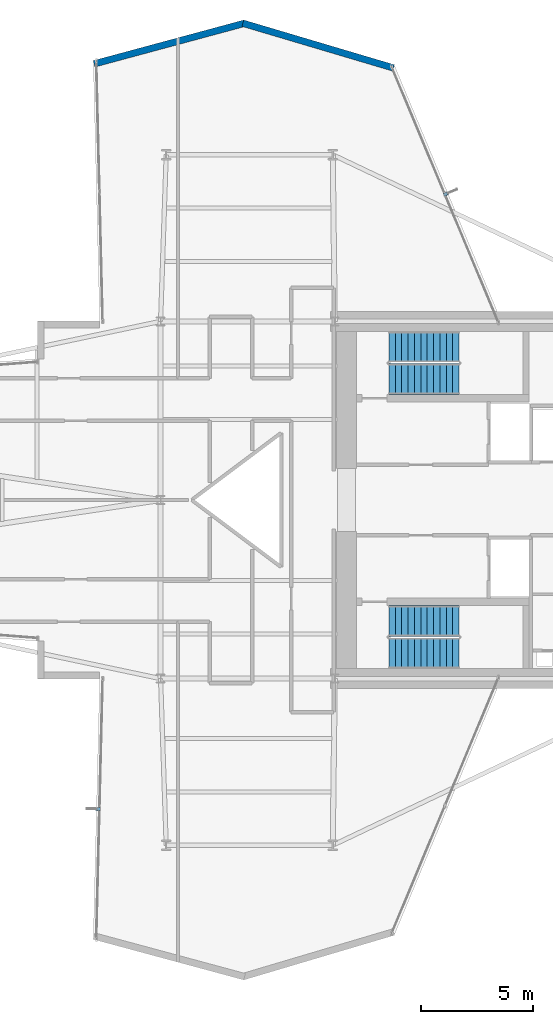
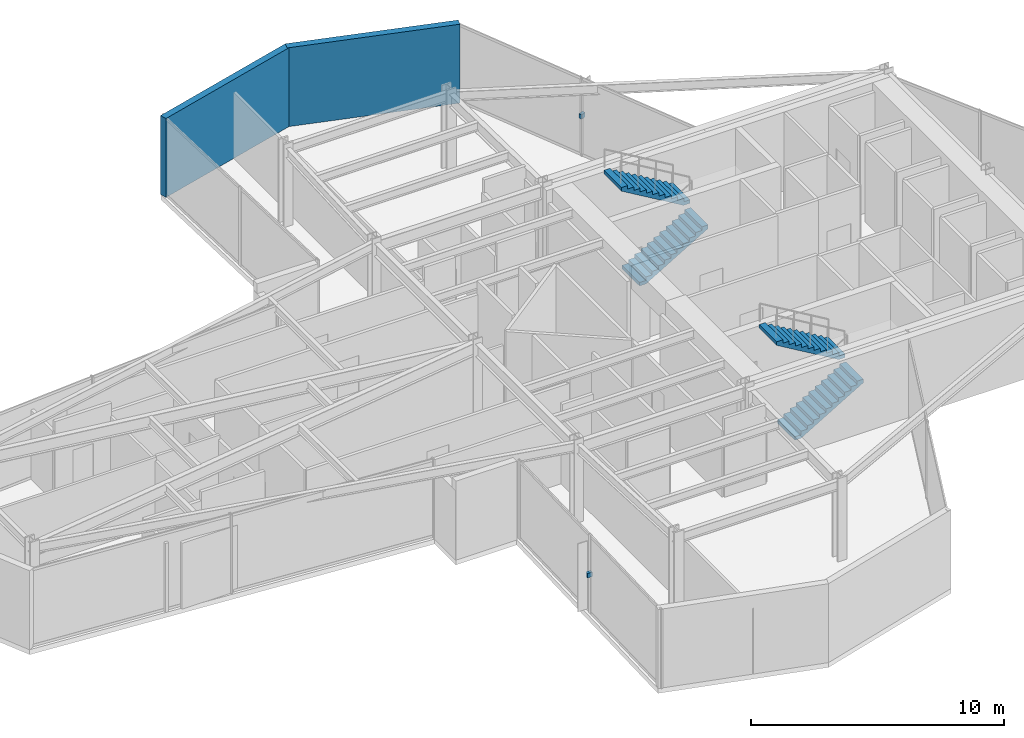
# One storey, part 24 of 25: 4 stair flights, 2 discrete accessories, 2 walls, 2 elements without a shape of their own.
"""IFC4 building model written with IfcOpenShell, lengths in metres."""

from ifc_helpers import new_model, si_unit, direction, frame, frame_2d, origin, origin_2d, place, context, subcontext, project, spatial, polyline, rectangle, outline, extrude, material, layer, layer_set, type_object, element, aggregate, save


model = new_model("IFC4")

# Units and contexts
model_context = context("Model", 3, precision=1e-05, world=origin(), true_north=direction((0.0, 1.0)))
body_context = subcontext(model_context, "Body", "Model", "MODEL_VIEW")
ifc_project = project(units=[si_unit("LENGTHUNIT", "METRE"), si_unit("AREAUNIT", "SQUARE_METRE"), si_unit("VOLUMEUNIT", "CUBIC_METRE"), si_unit("PLANEANGLEUNIT", "RADIAN"), si_unit("MASSUNIT", "GRAM", prefix="KILO")], contexts=[model_context])

# Site, building, storey
site_placement = place(None, origin())
site = spatial("IfcSite", under=ifc_project, at=site_placement, CompositionType="ELEMENT")
building_placement = place(site_placement, origin())
building = spatial("IfcBuilding", under=site, at=building_placement, Name="Veymaron Broadcast Tower", CompositionType="ELEMENT")
storey_placement = place(building_placement, frame((0.0, 0.0, 74.25)))
storey = spatial("IfcBuildingStorey", under=building, at=storey_placement, Name="L16", CompositionType="ELEMENT", Elevation=74.25)

# Walls
ifc_material_1 = material(Name="Precast concrete C40/50 with mineral-wool insulation", Category="concrete")
ifc_layer_1 = layer(ifc_material_1, 0.300048828125)
ifc_layer_set_1 = layer_set([ifc_layer_1], Name="Precast concrete C40/50 with mineral-wool insulation")
wall_type = type_object("IfcWallType", Name="WALL-EXT-300", PredefinedType="STANDARD", material=ifc_layer_set_1)
wall_1_placement = place(storey_placement, frame((41.628173828125, 43.349853515625, 0.0), z_axis=(0.0, 0.0, 1.0), x_axis=(-0.958632659024, 0.284646140064, 0.0)))
element("IfcWall", 1, at=wall_1_placement, inside=storey, type_object=wall_type, Name="L16 notched corner facade pier 6-1", PredefinedType="STANDARD", context=body_context, shape_type="SweptSolid", body=[
    extrude(rectangle(XDim=7.033203125, YDim=0.300048828125, at=frame_2d((3.5166015625, 0.0))), origin(), (0.0, 0.0, 1.0), 3.81005859375),
])
wall_2_placement = place(storey_placement, frame((34.96240234375, 45.350830078125, 0.0), z_axis=(0.0, 0.0, 1.0), x_axis=(-0.965438319853, -0.260631637679, 0.0)))
element("IfcWall", 2, at=wall_2_placement, inside=storey, type_object=wall_type, Name="L16 notched corner facade pier 7-1", PredefinedType="STANDARD", context=body_context, shape_type="SweptSolid", body=[
    extrude(rectangle(XDim=6.9833984375, YDim=0.300048828125, at=frame_2d((3.49169921875, 0.0))), origin(), (0.0, 0.0, 1.0), 3.81005859375),
])

# Stair, stair flights
ifc_material_2 = material(Name="Concrete C50/60", Category="concrete")
stair_type_1 = type_object("IfcStairType", Name="STAIR-CORE-1", PredefinedType="HALF_TURN_STAIR", material=ifc_material_2)
stair_1_placement = place(storey_placement, origin())
stair_1 = element("IfcStair", 3, at=stair_1_placement, inside=storey, type_object=stair_type_1, Name="L16 North protected dog-leg exit stair ST1", PredefinedType="HALF_TURN_STAIR")
ifc_material_3 = material(Name="Precast concrete C50/60", Category="concrete")
stair_flight_type = type_object("IfcStairFlightType", Name="FLT-CORE-RC", PredefinedType="STRAIGHT", material=ifc_material_3)
stair_flight_1_placement = place(storey_placement, frame((41.429931640625, 29.419921875, 0.0), z_axis=(0.0, 0.0, 1.0), x_axis=(1.0, 0.0, 0.0)))
stair_flight_1 = element("IfcStairFlight", 4, at=stair_flight_1_placement, type_object=stair_flight_type, Name="ST1 flight 1", NumberOfRisers=12, NumberOfTreads=11, PredefinedType="STRAIGHT", RiserHeight=0.16875, TreadLength=0.285, context=body_context, shape_type="SweptSolid", body=[
    extrude(outline(polyline([(0.0, 0.0), (0.0, 0.168701171875), (0.284912109375, 0.168701171875), (0.284912109375, 0.33740234375), (0.570068359375, 0.33740234375), (0.570068359375, 0.50634765625), (0.85498046875, 0.50634765625), (0.85498046875, 0.675048828125), (1.139892578125, 0.675048828125), (1.139892578125, 0.84375), (1.425048828125, 0.84375), (1.425048828125, 1.012451171875), (1.7099609375, 1.012451171875), (1.7099609375, 1.18115234375), (1.9951171875, 1.18115234375), (1.9951171875, 1.35009765625), (2.280029296875, 1.35009765625), (2.280029296875, 1.518798828125), (2.56494140625, 1.518798828125), (2.56494140625, 1.6875), (2.85009765625, 1.6875), (2.85009765625, 1.856201171875), (3.135009765625, 1.856201171875), (3.135009765625, 2.02490234375), (3.135009765625, 1.68212890625), (0.294189453125, 0.0), (0.0, 0.0)])), frame((0.0, 0.68994140625, 0.0), z_axis=(0.0, -1.0, 0.0), x_axis=(1.0, 0.0, 0.0)), (0.0, 0.0, 1.0), 1.3798828125),
])
stair_flight_2_placement = place(storey_placement, frame((44.56494140625, 30.860107421875, 2.02490234375), z_axis=(0.0, 0.0, 1.0), x_axis=(-1.0, 0.0, 0.0)))
stair_flight_2 = element("IfcStairFlight", 5, at=stair_flight_2_placement, type_object=stair_flight_type, Name="ST1 flight 2", NumberOfRisers=12, NumberOfTreads=11, PredefinedType="STRAIGHT", RiserHeight=0.16875, TreadLength=0.285, context=body_context, shape_type="SweptSolid", body=[
    extrude(outline(polyline([(0.0, 0.0), (0.0, 0.168701171875), (0.284912109375, 0.168701171875), (0.284912109375, 0.33740234375), (0.570068359375, 0.33740234375), (0.570068359375, 0.50634765625), (0.85498046875, 0.50634765625), (0.85498046875, 0.675048828125), (1.139892578125, 0.675048828125), (1.139892578125, 0.84375), (1.425048828125, 0.84375), (1.425048828125, 1.012451171875), (1.7099609375, 1.012451171875), (1.7099609375, 1.18115234375), (1.9951171875, 1.18115234375), (1.9951171875, 1.35009765625), (2.280029296875, 1.35009765625), (2.280029296875, 1.518798828125), (2.56494140625, 1.518798828125), (2.56494140625, 1.6875), (2.85009765625, 1.6875), (2.85009765625, 1.856201171875), (3.135009765625, 1.856201171875), (3.135009765625, 2.02490234375), (3.135009765625, 1.68212890625), (0.294189453125, 0.0), (0.0, 0.0)])), frame((0.0, 0.68994140625, 0.0), z_axis=(0.0, -1.0, 0.0), x_axis=(1.0, 0.0, 0.0)), (0.0, 0.0, 1.0), 1.3798828125),
])
aggregate(stair_1, [stair_flight_1, stair_flight_2])

stair_type_2 = type_object("IfcStairType", Name="STAIR-CORE-2", PredefinedType="HALF_TURN_STAIR", material=ifc_material_2)
stair_2_placement = place(storey_placement, origin())
stair_2 = element("IfcStair", 6, at=stair_2_placement, inside=storey, type_object=stair_type_2, Name="L16 South protected dog-leg exit stair ST2", PredefinedType="HALF_TURN_STAIR")
stair_flight_3_placement = place(storey_placement, frame((41.429931640625, 17.139892578125, 0.0), z_axis=(0.0, 0.0, 1.0), x_axis=(1.0, 0.0, 0.0)))
stair_flight_3 = element("IfcStairFlight", 7, at=stair_flight_3_placement, type_object=stair_flight_type, Name="ST2 flight 1", NumberOfRisers=12, NumberOfTreads=11, PredefinedType="STRAIGHT", RiserHeight=0.16875, TreadLength=0.285, context=body_context, shape_type="SweptSolid", body=[
    extrude(outline(polyline([(0.0, 0.0), (0.0, 0.168701171875), (0.284912109375, 0.168701171875), (0.284912109375, 0.33740234375), (0.570068359375, 0.33740234375), (0.570068359375, 0.50634765625), (0.85498046875, 0.50634765625), (0.85498046875, 0.675048828125), (1.139892578125, 0.675048828125), (1.139892578125, 0.84375), (1.425048828125, 0.84375), (1.425048828125, 1.012451171875), (1.7099609375, 1.012451171875), (1.7099609375, 1.18115234375), (1.9951171875, 1.18115234375), (1.9951171875, 1.35009765625), (2.280029296875, 1.35009765625), (2.280029296875, 1.518798828125), (2.56494140625, 1.518798828125), (2.56494140625, 1.6875), (2.85009765625, 1.6875), (2.85009765625, 1.856201171875), (3.135009765625, 1.856201171875), (3.135009765625, 2.02490234375), (3.135009765625, 1.68212890625), (0.294189453125, 0.0), (0.0, 0.0)])), frame((0.0, 0.68994140625, 0.0), z_axis=(0.0, -1.0, 0.0), x_axis=(1.0, 0.0, 0.0)), (0.0, 0.0, 1.0), 1.3798828125),
])
stair_flight_4_placement = place(storey_placement, frame((44.56494140625, 18.580078125, 2.02490234375), z_axis=(0.0, 0.0, 1.0), x_axis=(-1.0, 0.0, 0.0)))
stair_flight_4 = element("IfcStairFlight", 8, at=stair_flight_4_placement, type_object=stair_flight_type, Name="ST2 flight 2", NumberOfRisers=12, NumberOfTreads=11, PredefinedType="STRAIGHT", RiserHeight=0.16875, TreadLength=0.285, context=body_context, shape_type="SweptSolid", body=[
    extrude(outline(polyline([(0.0, 0.0), (0.0, 0.168701171875), (0.284912109375, 0.168701171875), (0.284912109375, 0.33740234375), (0.570068359375, 0.33740234375), (0.570068359375, 0.50634765625), (0.85498046875, 0.50634765625), (0.85498046875, 0.675048828125), (1.139892578125, 0.675048828125), (1.139892578125, 0.84375), (1.425048828125, 0.84375), (1.425048828125, 1.012451171875), (1.7099609375, 1.012451171875), (1.7099609375, 1.18115234375), (1.9951171875, 1.18115234375), (1.9951171875, 1.35009765625), (2.280029296875, 1.35009765625), (2.280029296875, 1.518798828125), (2.56494140625, 1.518798828125), (2.56494140625, 1.6875), (2.85009765625, 1.6875), (2.85009765625, 1.856201171875), (3.135009765625, 1.856201171875), (3.135009765625, 2.02490234375), (3.135009765625, 1.68212890625), (0.294189453125, 0.0), (0.0, 0.0)])), frame((0.0, 0.68994140625, 0.0), z_axis=(0.0, -1.0, 0.0), x_axis=(1.0, 0.0, 0.0)), (0.0, 0.0, 1.0), 1.3798828125),
])
aggregate(stair_2, [stair_flight_3, stair_flight_4])

# Discrete accessories
ifc_material_4 = material(Name="Austenitic stainless steel AISI 316L", Category="steel")
ifc_layer_2 = layer(ifc_material_4, 0.1201171875)
ifc_layer_set_2 = layer_set([ifc_layer_2], Name="Austenitic stainless steel AISI 316L")
discrete_accessory_type = type_object("IfcDiscreteAccessoryType", Name="ACC-BRKT-SS1", PredefinedType="BRACKET", material=ifc_layer_set_2)
for number, where, z_axis, x_axis, name in (
    (9, (43.9931640625, 37.711181640625, 1.794921875), (0.0, 0.0, 1.0), (0.922713113072, 0.3854873681, 0.0), "CW-L16-E5-1 fin bracket 1"),
    (10, (28.40625, 10.1650390625, 1.794921875), (0.0, 0.0, 1.0), (-0.999702767677, 0.024379833872, 0.0), "CW-L16-E17-1 fin bracket 1"),
):
    element("IfcDiscreteAccessory", number, at=place(storey_placement, frame(where, z_axis=z_axis, x_axis=x_axis)), inside=storey, type_object=discrete_accessory_type, Name=name, PredefinedType="BRACKET", context=body_context, shape_type="SweptSolid", body=[
        extrude(rectangle(XDim=0.219970703125, YDim=0.139892578125, at=origin_2d()), origin(), (0.0, 0.0, 1.0), 0.219970703125),
    ])

save(model, "model.ifc")
